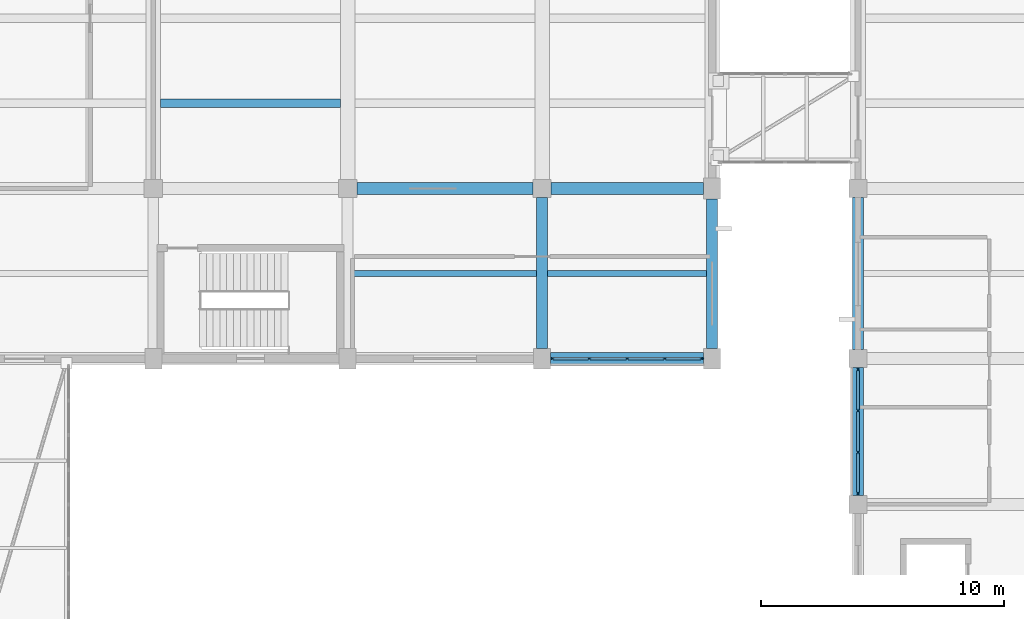
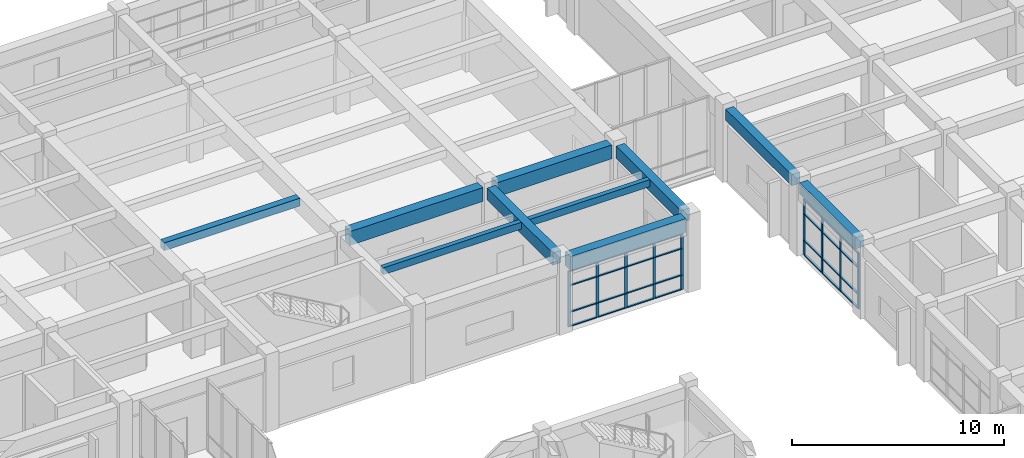
# One storey, part 26 of 70: 37 members, 10 beams, 2 elements without a shape of their own.
"""IFC4 building model written with IfcOpenShell, lengths in metres."""

from ifc_helpers import new_model, si_unit, direction, frame, origin, origin_2d, place, context, subcontext, project, spatial, rectangle, extrude, material, layer, layer_set, material_profile, profile_set, type_object, element, aggregate, save


model = new_model("IFC4")

# Units and contexts
model_context = context("Model", 3, precision=1e-05, world=origin(), true_north=direction((0.0, 1.0)))
body_context = subcontext(model_context, "Body", "Model", "MODEL_VIEW")
ifc_project = project(units=[si_unit("LENGTHUNIT", "METRE"), si_unit("AREAUNIT", "SQUARE_METRE"), si_unit("VOLUMEUNIT", "CUBIC_METRE"), si_unit("PLANEANGLEUNIT", "RADIAN"), si_unit("MASSUNIT", "GRAM", prefix="KILO")], contexts=[model_context])

# Site, building, storey
site_placement = place(None, origin())
site = spatial("IfcSite", under=ifc_project, at=site_placement, CompositionType="ELEMENT")
building_placement = place(site_placement, origin())
building = spatial("IfcBuilding", under=site, at=building_placement, Name="Naurynzar Civic Courthouse", CompositionType="ELEMENT")
storey_placement = place(building_placement, frame((0.0, 0.0, 5.39990234375)))
storey = spatial("IfcBuildingStorey", under=building, at=storey_placement, Name="L02", CompositionType="ELEMENT", Elevation=5.39990234375)

# Beams
ifc_material_1 = material(Name="Concrete C40/50", Category="concrete")
ifc_material_profile_1 = material_profile(ifc_material_1, rectangle(XDim=0.25, YDim=0.39990234375, at=origin_2d()), Name="RCB 250x400")
ifc_profile_set_1 = profile_set([ifc_material_profile_1], Name="Concrete C40/50")
beam_type_1 = type_object("IfcBeamType", Name="BM-JST-250x400", PredefinedType="JOIST", material=ifc_profile_set_1)
beam_1_placement = place(storey_placement, frame((109.22509765625, 47.5, 4.0), z_axis=(1.0, 0.0, 0.0), x_axis=(0.0, 1.0, 0.0)))
element("IfcBeam", 1, at=beam_1_placement, inside=storey, type_object=beam_type_1, Name="V2 secondary rib 528 L02", PredefinedType="JOIST", context=body_context, shape_type="SweptSolid", body=[
    extrude(rectangle(XDim=0.25, YDim=0.39990234375, at=origin_2d()), origin(), (0.0, 0.0, 1.0), 7.5498046875),
])
beam_2_placement = place(storey_placement, frame((117.22509765625, 47.5, 4.0), z_axis=(1.0, 0.0, 0.0), x_axis=(0.0, 1.0, 0.0)))
element("IfcBeam", 2, at=beam_2_placement, inside=storey, type_object=beam_type_1, Name="V2 secondary rib 529 L02", PredefinedType="JOIST", context=body_context, shape_type="SweptSolid", body=[
    extrude(rectangle(XDim=0.25, YDim=0.39990234375, at=origin_2d()), origin(), (0.0, 0.0, 1.0), 6.5498046875),
])
ifc_material_2 = material(Name="Concrete C40/50", Category="concrete")
ifc_material_profile_2 = material_profile(ifc_material_2, rectangle(XDim=0.35009765625, YDim=0.449951171875, at=origin_2d()), Name="RCB 350x450")
ifc_profile_set_2 = profile_set([ifc_material_profile_2], Name="Concrete C40/50")
beam_type_2 = type_object("IfcBeamType", Name="BM-RC-350x450", PredefinedType="BEAM", material=ifc_profile_set_2)
beam_3_placement = place(storey_placement, frame((101.300048828125, 54.5, 3.97509765625), z_axis=(1.0, 0.0, 0.0), x_axis=(0.0, 1.0, 0.0)))
element("IfcBeam", 3, at=beam_3_placement, inside=storey, type_object=beam_type_2, Name="V2 secondary rib 545 L02", PredefinedType="BEAM", context=body_context, shape_type="SweptSolid", body=[
    extrude(rectangle(XDim=0.35009765625, YDim=0.449951171875, at=origin_2d()), origin(), (0.0, 0.0, 1.0), 7.39990234375),
])
ifc_material_3 = material(Name="Concrete C40/50", Category="concrete")
ifc_material_profile_3 = material_profile(ifc_material_3, rectangle(XDim=0.449951171875, YDim=0.64990234375, at=origin_2d()), Name="RCB 450x650")
ifc_profile_set_3 = profile_set([ifc_material_profile_3], Name="Concrete C40/50")
beam_type_3 = type_object("IfcBeamType", Name="BM-RC-450x650", PredefinedType="BEAM", material=ifc_profile_set_3)
beam_4_placement = place(storey_placement, frame((130.0, 38.375, 3.875), z_axis=(0.0, 1.0, 0.0), x_axis=(-1.0, 0.0, 0.0)))
element("IfcBeam", 4, at=beam_4_placement, inside=storey, type_object=beam_type_3, Name="V5 girder Y-2302 L02", PredefinedType="BEAM", context=body_context, shape_type="SweptSolid", body=[
    extrude(rectangle(XDim=0.449951171875, YDim=0.64990234375, at=origin_2d()), origin(), (0.0, 0.0, 1.0), 5.25),
])
beam_5_placement = place(storey_placement, frame((130.0, 44.375, 3.875), z_axis=(0.0, 1.0, 0.0), x_axis=(-1.0, 0.0, 0.0)))
element("IfcBeam", 5, at=beam_5_placement, inside=storey, type_object=beam_type_3, Name="V5 girder Y-2303 L02", PredefinedType="BEAM", context=body_context, shape_type="SweptSolid", body=[
    extrude(rectangle(XDim=0.449951171875, YDim=0.64990234375, at=origin_2d()), origin(), (0.0, 0.0, 1.0), 6.25),
])
ifc_material_4 = material(Name="Concrete C40/50", Category="concrete")
ifc_material_profile_4 = material_profile(ifc_material_4, rectangle(XDim=0.449951171875, YDim=0.699951171875, at=origin_2d()), Name="RCB 450x700")
ifc_profile_set_4 = profile_set([ifc_material_profile_4], Name="Concrete C40/50")
beam_type_4 = type_object("IfcBeamType", Name="BM-RC-450x700", PredefinedType="BEAM", material=ifc_profile_set_4)
beam_6_placement = place(storey_placement, frame((117.0, 44.425048828125, 3.85009765625), z_axis=(0.0, 1.0, 0.0), x_axis=(-1.0, 0.0, 0.0)))
element("IfcBeam", 6, at=beam_6_placement, inside=storey, type_object=beam_type_4, Name="V2 girder Y-520 L02", PredefinedType="BEAM", context=body_context, shape_type="SweptSolid", body=[
    extrude(rectangle(XDim=0.449951171875, YDim=0.699951171875, at=origin_2d()), origin(), (0.0, 0.0, 1.0), 6.199951171875),
])
beam_7_placement = place(storey_placement, frame((124.0, 44.425048828125, 3.85009765625), z_axis=(0.0, 1.0, 0.0), x_axis=(-1.0, 0.0, 0.0)))
element("IfcBeam", 7, at=beam_7_placement, inside=storey, type_object=beam_type_4, Name="V2 girder Y-523 L02", PredefinedType="BEAM", context=body_context, shape_type="SweptSolid", body=[
    extrude(rectangle(XDim=0.449951171875, YDim=0.699951171875, at=origin_2d()), origin(), (0.0, 0.0, 1.0), 6.14990234375),
])
ifc_material_5 = material(Name="Concrete C40/50", Category="concrete")
ifc_material_profile_5 = material_profile(ifc_material_5, rectangle(XDim=0.5, YDim=0.800048828125, at=origin_2d()), Name="RCB 500x800")
ifc_profile_set_5 = profile_set([ifc_material_profile_5], Name="Concrete C40/50")
beam_type_5 = type_object("IfcBeamType", Name="BM-RC-500x800", PredefinedType="BEAM", material=ifc_profile_set_5)
beam_8_placement = place(storey_placement, frame((117.35009765625, 44.0, 3.800048828125), z_axis=(1.0, 0.0, 0.0), x_axis=(0.0, 1.0, 0.0)))
element("IfcBeam", 8, at=beam_8_placement, inside=storey, type_object=beam_type_5, Name="V2 beam X-474 L02", PredefinedType="BEAM", context=body_context, shape_type="SweptSolid", body=[
    extrude(rectangle(XDim=0.5, YDim=0.800048828125, at=origin_2d()), origin(), (0.0, 0.0, 1.0), 6.2998046875),
])
beam_9_placement = place(storey_placement, frame((109.375, 51.0, 3.800048828125), z_axis=(1.0, 0.0, 0.0), x_axis=(0.0, 1.0, 0.0)))
element("IfcBeam", 9, at=beam_9_placement, inside=storey, type_object=beam_type_5, Name="V2 beam X-481 L02", PredefinedType="BEAM", context=body_context, shape_type="SweptSolid", body=[
    extrude(rectangle(XDim=0.5, YDim=0.800048828125, at=origin_2d()), origin(), (0.0, 0.0, 1.0), 7.25),
])
beam_10_placement = place(storey_placement, frame((117.375, 51.0, 3.800048828125), z_axis=(1.0, 0.0, 0.0), x_axis=(0.0, 1.0, 0.0)))
element("IfcBeam", 10, at=beam_10_placement, inside=storey, type_object=beam_type_5, Name="V2 beam X-482 L02", PredefinedType="BEAM", context=body_context, shape_type="SweptSolid", body=[
    extrude(rectangle(XDim=0.5, YDim=0.800048828125, at=origin_2d()), origin(), (0.0, 0.0, 1.0), 6.27490234375),
])

# Curtain wall, members
ifc_material_6 = material(Name="Aluminium 6063-T6", Category="aluminium")
ifc_layer = layer(ifc_material_6, 0.179931640625)
ifc_layer_set = layer_set([ifc_layer], Name="CW-UNIT-1500")
curtain_wall_type = type_object("IfcCurtainWallType", Name="CW-UNIT-1500", PredefinedType="NOTDEFINED", material=ifc_layer_set)
curtain_wall_1_placement = place(storey_placement, origin())
curtain_wall_1 = element("IfcCurtainWall", 11, at=curtain_wall_1_placement, inside=storey, type_object=curtain_wall_type, Name="V2 unitised curtain wall 23 L02", PredefinedType="NOTDEFINED")
ifc_material_7 = material(Name="Aluminium 6063-T6", Category="aluminium")
ifc_material_profile_6 = material_profile(ifc_material_7, rectangle(XDim=0.06005859375, YDim=0.14990234375, at=origin_2d()), Name="ALU MULLION 60x150")
ifc_profile_set_6 = profile_set([ifc_material_profile_6], Name="Aluminium 6063-T6")
member_type_1 = type_object("IfcMemberType", Name="CWM-60x150", PredefinedType="MULLION", material=ifc_profile_set_6)
member_1_placement = place(storey_placement, frame((123.570068359375, 44.0, 0.0), z_axis=(0.0, 0.0, 1.0), x_axis=(0.0, -1.0, 0.0)))
member_1 = element("IfcMember", 12, at=member_1_placement, type_object=member_type_1, Name="CW-01 mullion 1", PredefinedType="MULLION", context=body_context, shape_type="SweptSolid", body=[
    extrude(rectangle(XDim=0.06005859375, YDim=0.14990234375, at=origin_2d()), origin(), (0.0, 0.0, 1.0), 3.22998046875),
])
member_2_placement = place(storey_placement, frame((122.050048828125, 44.0, 0.0), z_axis=(0.0, 0.0, 1.0), x_axis=(0.0, -1.0, 0.0)))
member_2 = element("IfcMember", 13, at=member_2_placement, type_object=member_type_1, Name="CW-01 mullion 2", PredefinedType="MULLION", context=body_context, shape_type="SweptSolid", body=[
    extrude(rectangle(XDim=0.06005859375, YDim=0.14990234375, at=origin_2d()), origin(), (0.0, 0.0, 1.0), 3.22998046875),
])
member_3_placement = place(storey_placement, frame((120.5, 44.0, 0.0), z_axis=(0.0, 0.0, 1.0), x_axis=(0.0, -1.0, 0.0)))
member_3 = element("IfcMember", 14, at=member_3_placement, type_object=member_type_1, Name="CW-01 mullion 3", PredefinedType="MULLION", context=body_context, shape_type="SweptSolid", body=[
    extrude(rectangle(XDim=0.06005859375, YDim=0.14990234375, at=origin_2d()), origin(), (0.0, 0.0, 1.0), 3.22998046875),
])
member_4_placement = place(storey_placement, frame((118.949951171875, 44.0, 0.0), z_axis=(0.0, 0.0, 1.0), x_axis=(0.0, -1.0, 0.0)))
member_4 = element("IfcMember", 15, at=member_4_placement, type_object=member_type_1, Name="CW-01 mullion 4", PredefinedType="MULLION", context=body_context, shape_type="SweptSolid", body=[
    extrude(rectangle(XDim=0.06005859375, YDim=0.14990234375, at=origin_2d()), origin(), (0.0, 0.0, 1.0), 3.22998046875),
])
member_5_placement = place(storey_placement, frame((117.429931640625, 44.0, 0.0), z_axis=(0.0, 0.0, 1.0), x_axis=(0.0, -1.0, 0.0)))
member_5 = element("IfcMember", 16, at=member_5_placement, type_object=member_type_1, Name="CW-01 mullion 5", PredefinedType="MULLION", context=body_context, shape_type="SweptSolid", body=[
    extrude(rectangle(XDim=0.06005859375, YDim=0.14990234375, at=origin_2d()), origin(), (0.0, 0.0, 1.0), 3.22998046875),
])

curtain_wall_2_placement = place(storey_placement, origin())
curtain_wall_2 = element("IfcCurtainWall", 17, at=curtain_wall_2_placement, inside=storey, type_object=curtain_wall_type, Name="V5 unitised curtain wall 87 L02", PredefinedType="NOTDEFINED")
member_6_placement = place(storey_placement, frame((130.0, 38.455078125, 0.0), z_axis=(0.0, 0.0, 1.0), x_axis=(-1.0, 0.0, 0.0)))
member_6 = element("IfcMember", 18, at=member_6_placement, type_object=member_type_1, Name="CW-01 mullion 1", PredefinedType="MULLION", context=body_context, shape_type="SweptSolid", body=[
    extrude(rectangle(XDim=0.06005859375, YDim=0.14990234375, at=origin_2d()), origin(), (0.0, 0.0, 1.0), 3.22998046875),
])
member_7_placement = place(storey_placement, frame((130.0, 40.1416015625, 0.0), z_axis=(0.0, 0.0, 1.0), x_axis=(-1.0, 0.0, 0.0)))
member_7 = element("IfcMember", 19, at=member_7_placement, type_object=member_type_1, Name="CW-01 mullion 2", PredefinedType="MULLION", context=body_context, shape_type="SweptSolid", body=[
    extrude(rectangle(XDim=0.06005859375, YDim=0.14990234375, at=origin_2d()), origin(), (0.0, 0.0, 1.0), 3.22998046875),
])
member_8_placement = place(storey_placement, frame((130.0, 41.8583984375, 0.0), z_axis=(0.0, 0.0, 1.0), x_axis=(-1.0, 0.0, 0.0)))
member_8 = element("IfcMember", 20, at=member_8_placement, type_object=member_type_1, Name="CW-01 mullion 3", PredefinedType="MULLION", context=body_context, shape_type="SweptSolid", body=[
    extrude(rectangle(XDim=0.06005859375, YDim=0.14990234375, at=origin_2d()), origin(), (0.0, 0.0, 1.0), 3.22998046875),
])
member_9_placement = place(storey_placement, frame((130.0, 43.544921875, 0.0), z_axis=(0.0, 0.0, 1.0), x_axis=(-1.0, 0.0, 0.0)))
member_9 = element("IfcMember", 21, at=member_9_placement, type_object=member_type_1, Name="CW-01 mullion 4", PredefinedType="MULLION", context=body_context, shape_type="SweptSolid", body=[
    extrude(rectangle(XDim=0.06005859375, YDim=0.14990234375, at=origin_2d()), origin(), (0.0, 0.0, 1.0), 3.22998046875),
])

# Member
ifc_material_8 = material(Name="Aluminium 6063-T6", Category="aluminium")
ifc_material_profile_7 = material_profile(ifc_material_8, rectangle(XDim=0.110107421875, YDim=0.06005859375, at=origin_2d()), Name="ALU TRANSOM 60x110")
ifc_profile_set_7 = profile_set([ifc_material_profile_7], Name="Aluminium 6063-T6")
member_type_2 = type_object("IfcMemberType", Name="CWT-60x110", PredefinedType="USERDEFINED", material=ifc_profile_set_7)
member_10_placement = place(storey_placement, frame((123.5400390625, 44.0, 0.030029296875), z_axis=(-1.0, 0.0, 0.0), x_axis=(0.0, -1.0, 0.0)))
member_10 = element("IfcMember", 22, at=member_10_placement, type_object=member_type_2, Name="CW-01 transom 1.1", ObjectType="TRANSOM", PredefinedType="USERDEFINED", context=body_context, shape_type="SweptSolid", body=[
    extrude(rectangle(XDim=0.110107421875, YDim=0.06005859375, at=origin_2d()), origin(), (0.0, 0.0, 1.0), 1.4599609375),
])

member_11_placement = place(storey_placement, frame((123.5400390625, 44.0, 0.85009765625), z_axis=(-1.0, 0.0, 0.0), x_axis=(0.0, -1.0, 0.0)))
member_11 = element("IfcMember", 23, at=member_11_placement, type_object=member_type_2, Name="CW-01 transom 1.2", ObjectType="TRANSOM", PredefinedType="USERDEFINED", context=body_context, shape_type="SweptSolid", body=[
    extrude(rectangle(XDim=0.110107421875, YDim=0.06005859375, at=origin_2d()), origin(), (0.0, 0.0, 1.0), 1.4599609375),
])

member_12_placement = place(storey_placement, frame((123.5400390625, 44.0, 2.380126953125), z_axis=(-1.0, 0.0, 0.0), x_axis=(0.0, -1.0, 0.0)))
member_12 = element("IfcMember", 24, at=member_12_placement, type_object=member_type_2, Name="CW-01 transom 1.3", ObjectType="TRANSOM", PredefinedType="USERDEFINED", context=body_context, shape_type="SweptSolid", body=[
    extrude(rectangle(XDim=0.110107421875, YDim=0.06005859375, at=origin_2d()), origin(), (0.0, 0.0, 1.0), 1.4599609375),
])

member_13_placement = place(storey_placement, frame((123.5400390625, 44.0, 3.2001953125), z_axis=(-1.0, 0.0, 0.0), x_axis=(0.0, -1.0, 0.0)))
member_13 = element("IfcMember", 25, at=member_13_placement, type_object=member_type_2, Name="CW-01 transom 1.4", ObjectType="TRANSOM", PredefinedType="USERDEFINED", context=body_context, shape_type="SweptSolid", body=[
    extrude(rectangle(XDim=0.110107421875, YDim=0.06005859375, at=origin_2d()), origin(), (0.0, 0.0, 1.0), 1.4599609375),
])

member_14_placement = place(storey_placement, frame((122.02001953125, 44.0, 0.030029296875), z_axis=(-1.0, 0.0, 0.0), x_axis=(0.0, -1.0, 0.0)))
member_14 = element("IfcMember", 26, at=member_14_placement, type_object=member_type_2, Name="CW-01 transom 2.1", ObjectType="TRANSOM", PredefinedType="USERDEFINED", context=body_context, shape_type="SweptSolid", body=[
    extrude(rectangle(XDim=0.110107421875, YDim=0.06005859375, at=origin_2d()), origin(), (0.0, 0.0, 1.0), 1.489990234375),
])

member_15_placement = place(storey_placement, frame((122.02001953125, 44.0, 0.85009765625), z_axis=(-1.0, 0.0, 0.0), x_axis=(0.0, -1.0, 0.0)))
member_15 = element("IfcMember", 27, at=member_15_placement, type_object=member_type_2, Name="CW-01 transom 2.2", ObjectType="TRANSOM", PredefinedType="USERDEFINED", context=body_context, shape_type="SweptSolid", body=[
    extrude(rectangle(XDim=0.110107421875, YDim=0.06005859375, at=origin_2d()), origin(), (0.0, 0.0, 1.0), 1.489990234375),
])

member_16_placement = place(storey_placement, frame((122.02001953125, 44.0, 2.380126953125), z_axis=(-1.0, 0.0, 0.0), x_axis=(0.0, -1.0, 0.0)))
member_16 = element("IfcMember", 28, at=member_16_placement, type_object=member_type_2, Name="CW-01 transom 2.3", ObjectType="TRANSOM", PredefinedType="USERDEFINED", context=body_context, shape_type="SweptSolid", body=[
    extrude(rectangle(XDim=0.110107421875, YDim=0.06005859375, at=origin_2d()), origin(), (0.0, 0.0, 1.0), 1.489990234375),
])

member_17_placement = place(storey_placement, frame((122.02001953125, 44.0, 3.2001953125), z_axis=(-1.0, 0.0, 0.0), x_axis=(0.0, -1.0, 0.0)))
member_17 = element("IfcMember", 29, at=member_17_placement, type_object=member_type_2, Name="CW-01 transom 2.4", ObjectType="TRANSOM", PredefinedType="USERDEFINED", context=body_context, shape_type="SweptSolid", body=[
    extrude(rectangle(XDim=0.110107421875, YDim=0.06005859375, at=origin_2d()), origin(), (0.0, 0.0, 1.0), 1.489990234375),
])

member_18_placement = place(storey_placement, frame((120.469970703125, 44.0, 0.030029296875), z_axis=(-1.0, 0.0, 0.0), x_axis=(0.0, -1.0, 0.0)))
member_18 = element("IfcMember", 30, at=member_18_placement, type_object=member_type_2, Name="CW-01 transom 3.1", ObjectType="TRANSOM", PredefinedType="USERDEFINED", context=body_context, shape_type="SweptSolid", body=[
    extrude(rectangle(XDim=0.110107421875, YDim=0.06005859375, at=origin_2d()), origin(), (0.0, 0.0, 1.0), 1.489990234375),
])

member_19_placement = place(storey_placement, frame((120.469970703125, 44.0, 0.85009765625), z_axis=(-1.0, 0.0, 0.0), x_axis=(0.0, -1.0, 0.0)))
member_19 = element("IfcMember", 31, at=member_19_placement, type_object=member_type_2, Name="CW-01 transom 3.2", ObjectType="TRANSOM", PredefinedType="USERDEFINED", context=body_context, shape_type="SweptSolid", body=[
    extrude(rectangle(XDim=0.110107421875, YDim=0.06005859375, at=origin_2d()), origin(), (0.0, 0.0, 1.0), 1.489990234375),
])

member_20_placement = place(storey_placement, frame((120.469970703125, 44.0, 2.380126953125), z_axis=(-1.0, 0.0, 0.0), x_axis=(0.0, -1.0, 0.0)))
member_20 = element("IfcMember", 32, at=member_20_placement, type_object=member_type_2, Name="CW-01 transom 3.3", ObjectType="TRANSOM", PredefinedType="USERDEFINED", context=body_context, shape_type="SweptSolid", body=[
    extrude(rectangle(XDim=0.110107421875, YDim=0.06005859375, at=origin_2d()), origin(), (0.0, 0.0, 1.0), 1.489990234375),
])

member_21_placement = place(storey_placement, frame((120.469970703125, 44.0, 3.2001953125), z_axis=(-1.0, 0.0, 0.0), x_axis=(0.0, -1.0, 0.0)))
member_21 = element("IfcMember", 33, at=member_21_placement, type_object=member_type_2, Name="CW-01 transom 3.4", ObjectType="TRANSOM", PredefinedType="USERDEFINED", context=body_context, shape_type="SweptSolid", body=[
    extrude(rectangle(XDim=0.110107421875, YDim=0.06005859375, at=origin_2d()), origin(), (0.0, 0.0, 1.0), 1.489990234375),
])

member_22_placement = place(storey_placement, frame((118.919921875, 44.0, 0.030029296875), z_axis=(-1.0, 0.0, 0.0), x_axis=(0.0, -1.0, 0.0)))
member_22 = element("IfcMember", 34, at=member_22_placement, type_object=member_type_2, Name="CW-01 transom 4.1", ObjectType="TRANSOM", PredefinedType="USERDEFINED", context=body_context, shape_type="SweptSolid", body=[
    extrude(rectangle(XDim=0.110107421875, YDim=0.06005859375, at=origin_2d()), origin(), (0.0, 0.0, 1.0), 1.4599609375),
])

member_23_placement = place(storey_placement, frame((118.919921875, 44.0, 0.85009765625), z_axis=(-1.0, 0.0, 0.0), x_axis=(0.0, -1.0, 0.0)))
member_23 = element("IfcMember", 35, at=member_23_placement, type_object=member_type_2, Name="CW-01 transom 4.2", ObjectType="TRANSOM", PredefinedType="USERDEFINED", context=body_context, shape_type="SweptSolid", body=[
    extrude(rectangle(XDim=0.110107421875, YDim=0.06005859375, at=origin_2d()), origin(), (0.0, 0.0, 1.0), 1.4599609375),
])

member_24_placement = place(storey_placement, frame((118.919921875, 44.0, 2.380126953125), z_axis=(-1.0, 0.0, 0.0), x_axis=(0.0, -1.0, 0.0)))
member_24 = element("IfcMember", 36, at=member_24_placement, type_object=member_type_2, Name="CW-01 transom 4.3", ObjectType="TRANSOM", PredefinedType="USERDEFINED", context=body_context, shape_type="SweptSolid", body=[
    extrude(rectangle(XDim=0.110107421875, YDim=0.06005859375, at=origin_2d()), origin(), (0.0, 0.0, 1.0), 1.4599609375),
])

member_25_placement = place(storey_placement, frame((118.919921875, 44.0, 3.2001953125), z_axis=(-1.0, 0.0, 0.0), x_axis=(0.0, -1.0, 0.0)))
member_25 = element("IfcMember", 37, at=member_25_placement, type_object=member_type_2, Name="CW-01 transom 4.4", ObjectType="TRANSOM", PredefinedType="USERDEFINED", context=body_context, shape_type="SweptSolid", body=[
    extrude(rectangle(XDim=0.110107421875, YDim=0.06005859375, at=origin_2d()), origin(), (0.0, 0.0, 1.0), 1.4599609375),
])

aggregate(curtain_wall_1, [member_1, member_2, member_3, member_4, member_5, member_10, member_11, member_12, member_13, member_14, member_15, member_16, member_17, member_18, member_19, member_20, member_21, member_22, member_23, member_24, member_25])

member_26_placement = place(storey_placement, frame((130.0, 38.485107421875, 0.030029296875), z_axis=(0.0, 1.0, 0.0), x_axis=(-1.0, 0.0, 0.0)))
member_26 = element("IfcMember", 38, at=member_26_placement, type_object=member_type_2, Name="CW-01 transom 1.1", ObjectType="TRANSOM", PredefinedType="USERDEFINED", context=body_context, shape_type="SweptSolid", body=[
    extrude(rectangle(XDim=0.110107421875, YDim=0.06005859375, at=origin_2d()), origin(), (0.0, 0.0, 1.0), 1.62646484375),
])

member_27_placement = place(storey_placement, frame((130.0, 38.485107421875, 0.85009765625), z_axis=(0.0, 1.0, 0.0), x_axis=(-1.0, 0.0, 0.0)))
member_27 = element("IfcMember", 39, at=member_27_placement, type_object=member_type_2, Name="CW-01 transom 1.2", ObjectType="TRANSOM", PredefinedType="USERDEFINED", context=body_context, shape_type="SweptSolid", body=[
    extrude(rectangle(XDim=0.110107421875, YDim=0.06005859375, at=origin_2d()), origin(), (0.0, 0.0, 1.0), 1.62646484375),
])

member_28_placement = place(storey_placement, frame((130.0, 38.485107421875, 2.380126953125), z_axis=(0.0, 1.0, 0.0), x_axis=(-1.0, 0.0, 0.0)))
member_28 = element("IfcMember", 40, at=member_28_placement, type_object=member_type_2, Name="CW-01 transom 1.3", ObjectType="TRANSOM", PredefinedType="USERDEFINED", context=body_context, shape_type="SweptSolid", body=[
    extrude(rectangle(XDim=0.110107421875, YDim=0.06005859375, at=origin_2d()), origin(), (0.0, 0.0, 1.0), 1.62646484375),
])

member_29_placement = place(storey_placement, frame((130.0, 38.485107421875, 3.2001953125), z_axis=(0.0, 1.0, 0.0), x_axis=(-1.0, 0.0, 0.0)))
member_29 = element("IfcMember", 41, at=member_29_placement, type_object=member_type_2, Name="CW-01 transom 1.4", ObjectType="TRANSOM", PredefinedType="USERDEFINED", context=body_context, shape_type="SweptSolid", body=[
    extrude(rectangle(XDim=0.110107421875, YDim=0.06005859375, at=origin_2d()), origin(), (0.0, 0.0, 1.0), 1.62646484375),
])

member_30_placement = place(storey_placement, frame((130.0, 40.171630859375, 0.030029296875), z_axis=(0.0, 1.0, 0.0), x_axis=(-1.0, 0.0, 0.0)))
member_30 = element("IfcMember", 42, at=member_30_placement, type_object=member_type_2, Name="CW-01 transom 2.1", ObjectType="TRANSOM", PredefinedType="USERDEFINED", context=body_context, shape_type="SweptSolid", body=[
    extrude(rectangle(XDim=0.110107421875, YDim=0.06005859375, at=origin_2d()), origin(), (0.0, 0.0, 1.0), 1.65673828125),
])

member_31_placement = place(storey_placement, frame((130.0, 40.171630859375, 0.85009765625), z_axis=(0.0, 1.0, 0.0), x_axis=(-1.0, 0.0, 0.0)))
member_31 = element("IfcMember", 43, at=member_31_placement, type_object=member_type_2, Name="CW-01 transom 2.2", ObjectType="TRANSOM", PredefinedType="USERDEFINED", context=body_context, shape_type="SweptSolid", body=[
    extrude(rectangle(XDim=0.110107421875, YDim=0.06005859375, at=origin_2d()), origin(), (0.0, 0.0, 1.0), 1.65673828125),
])

member_32_placement = place(storey_placement, frame((130.0, 40.171630859375, 2.380126953125), z_axis=(0.0, 1.0, 0.0), x_axis=(-1.0, 0.0, 0.0)))
member_32 = element("IfcMember", 44, at=member_32_placement, type_object=member_type_2, Name="CW-01 transom 2.3", ObjectType="TRANSOM", PredefinedType="USERDEFINED", context=body_context, shape_type="SweptSolid", body=[
    extrude(rectangle(XDim=0.110107421875, YDim=0.06005859375, at=origin_2d()), origin(), (0.0, 0.0, 1.0), 1.65673828125),
])

member_33_placement = place(storey_placement, frame((130.0, 40.171630859375, 3.2001953125), z_axis=(0.0, 1.0, 0.0), x_axis=(-1.0, 0.0, 0.0)))
member_33 = element("IfcMember", 45, at=member_33_placement, type_object=member_type_2, Name="CW-01 transom 2.4", ObjectType="TRANSOM", PredefinedType="USERDEFINED", context=body_context, shape_type="SweptSolid", body=[
    extrude(rectangle(XDim=0.110107421875, YDim=0.06005859375, at=origin_2d()), origin(), (0.0, 0.0, 1.0), 1.65673828125),
])

member_34_placement = place(storey_placement, frame((130.0, 41.888427734375, 0.030029296875), z_axis=(0.0, 1.0, 0.0), x_axis=(-1.0, 0.0, 0.0)))
member_34 = element("IfcMember", 46, at=member_34_placement, type_object=member_type_2, Name="CW-01 transom 3.1", ObjectType="TRANSOM", PredefinedType="USERDEFINED", context=body_context, shape_type="SweptSolid", body=[
    extrude(rectangle(XDim=0.110107421875, YDim=0.06005859375, at=origin_2d()), origin(), (0.0, 0.0, 1.0), 1.62646484375),
])

member_35_placement = place(storey_placement, frame((130.0, 41.888427734375, 0.85009765625), z_axis=(0.0, 1.0, 0.0), x_axis=(-1.0, 0.0, 0.0)))
member_35 = element("IfcMember", 47, at=member_35_placement, type_object=member_type_2, Name="CW-01 transom 3.2", ObjectType="TRANSOM", PredefinedType="USERDEFINED", context=body_context, shape_type="SweptSolid", body=[
    extrude(rectangle(XDim=0.110107421875, YDim=0.06005859375, at=origin_2d()), origin(), (0.0, 0.0, 1.0), 1.62646484375),
])

member_36_placement = place(storey_placement, frame((130.0, 41.888427734375, 2.380126953125), z_axis=(0.0, 1.0, 0.0), x_axis=(-1.0, 0.0, 0.0)))
member_36 = element("IfcMember", 48, at=member_36_placement, type_object=member_type_2, Name="CW-01 transom 3.3", ObjectType="TRANSOM", PredefinedType="USERDEFINED", context=body_context, shape_type="SweptSolid", body=[
    extrude(rectangle(XDim=0.110107421875, YDim=0.06005859375, at=origin_2d()), origin(), (0.0, 0.0, 1.0), 1.62646484375),
])

member_37_placement = place(storey_placement, frame((130.0, 41.888427734375, 3.2001953125), z_axis=(0.0, 1.0, 0.0), x_axis=(-1.0, 0.0, 0.0)))
member_37 = element("IfcMember", 49, at=member_37_placement, type_object=member_type_2, Name="CW-01 transom 3.4", ObjectType="TRANSOM", PredefinedType="USERDEFINED", context=body_context, shape_type="SweptSolid", body=[
    extrude(rectangle(XDim=0.110107421875, YDim=0.06005859375, at=origin_2d()), origin(), (0.0, 0.0, 1.0), 1.62646484375),
])

aggregate(curtain_wall_2, [member_6, member_7, member_8, member_9, member_26, member_27, member_28, member_29, member_30, member_31, member_32, member_33, member_34, member_35, member_36, member_37])

save(model, "model.ifc")
